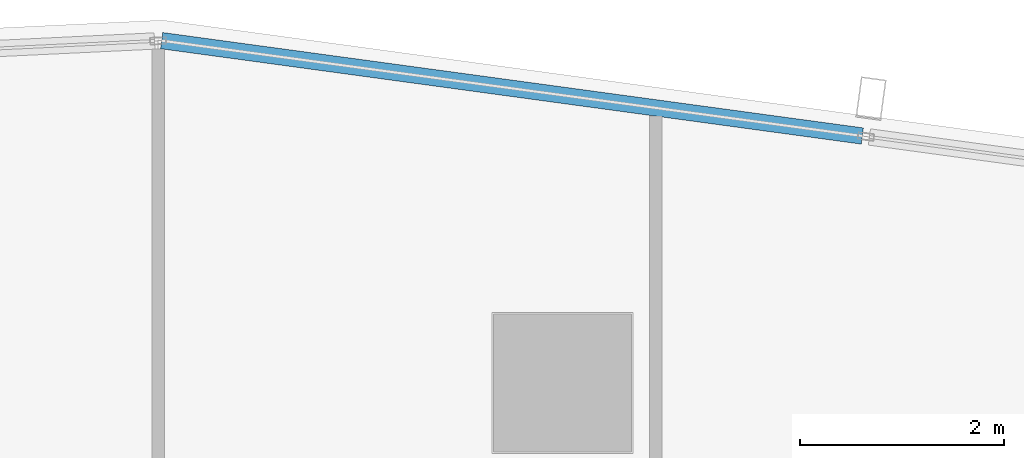
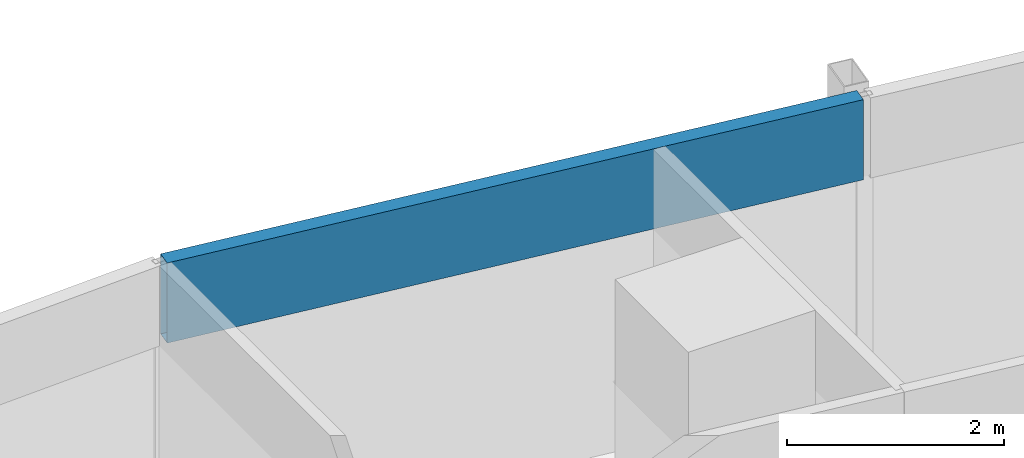
# One storey, part 22 of 39: 1 member, 1 element without a shape of its own.
"""IFC4 building model written with IfcOpenShell, lengths in metres."""

from ifc_helpers import new_model, si_unit, direction, frame, origin, origin_2d, place, context, subcontext, project, spatial, hollow_rectangle, extrude, material, material_profile, profile_set, type_object, element, aggregate, save


model = new_model("IFC4")

# Units and contexts
model_context = context("Model", 3, precision=1e-05, world=origin(), true_north=direction((0.0, 1.0)))
body_context = subcontext(model_context, "Body", "Model", "MODEL_VIEW")
ifc_project = project(units=[si_unit("LENGTHUNIT", "METRE"), si_unit("AREAUNIT", "SQUARE_METRE"), si_unit("VOLUMEUNIT", "CUBIC_METRE"), si_unit("PLANEANGLEUNIT", "RADIAN"), si_unit("MASSUNIT", "GRAM", prefix="KILO")], contexts=[model_context])

# Site, building, storey
site_placement = place(None, origin())
site = spatial("IfcSite", under=ifc_project, at=site_placement, CompositionType="ELEMENT")
building_placement = place(site_placement, origin())
building = spatial("IfcBuilding", under=site, at=building_placement, Name="Rekha Terrace Tower", CompositionType="ELEMENT")
storey_placement = place(building_placement, frame((0.0, 0.0, 187.699951171875)))
storey = spatial("IfcBuildingStorey", under=building, at=storey_placement, Name="L47", CompositionType="ELEMENT", Elevation=187.699951171875)

# Curtain wall, member
ifc_material_1 = material(Name="Aluminium framing", Category="aluminium")
curtain_wall_type = type_object("IfcCurtainWallType", Name="CW3 north unitised glazing", PredefinedType="USERDEFINED", material=ifc_material_1)
curtain_wall_placement = place(storey_placement, origin())
curtain_wall = element("IfcCurtainWall", 1, at=curtain_wall_placement, inside=storey, type_object=curtain_wall_type, Name="CW3 unitised curtain wall", ObjectType="UNITISED CURTAIN WALL", PredefinedType="USERDEFINED")
ifc_material_2 = material(Name="Insulated aluminium spandrel box", Category="aluminium")
ifc_material_profile = material_profile(ifc_material_2, hollow_rectangle(XDim=0.159912109375, YDim=0.89990234375, WallThickness=0.0029296875, at=origin_2d()), Name="AL SPANDREL BOX 160x900")
ifc_profile_set = profile_set([ifc_material_profile], Name="Insulated aluminium spandrel box")
member_type = type_object("IfcMemberType", Name="CW3 spandrel transom 160 x 900", PredefinedType="USERDEFINED", material=ifc_profile_set)
member_placement = place(storey_placement, frame((53.334716796875, 61.21630859375, 3.050048828125), z_axis=(-0.990863635349, 0.134867550367, 0.0), x_axis=(-0.134867550367, -0.990863635349, 0.0)))
member = element("IfcMember", 2, at=member_placement, type_object=member_type, Name="CW3 spandrel transom 2", ObjectType="TRANSOM", PredefinedType="USERDEFINED", context=body_context, shape_type="SweptSolid", body=[
    extrude(hollow_rectangle(XDim=0.159912109375, YDim=0.89990234375, WallThickness=0.0029296875, at=origin_2d()), origin(), (0.0, 0.0, 1.0), 6.918701171875),
])
aggregate(curtain_wall, [member])

save(model, "model.ifc")
